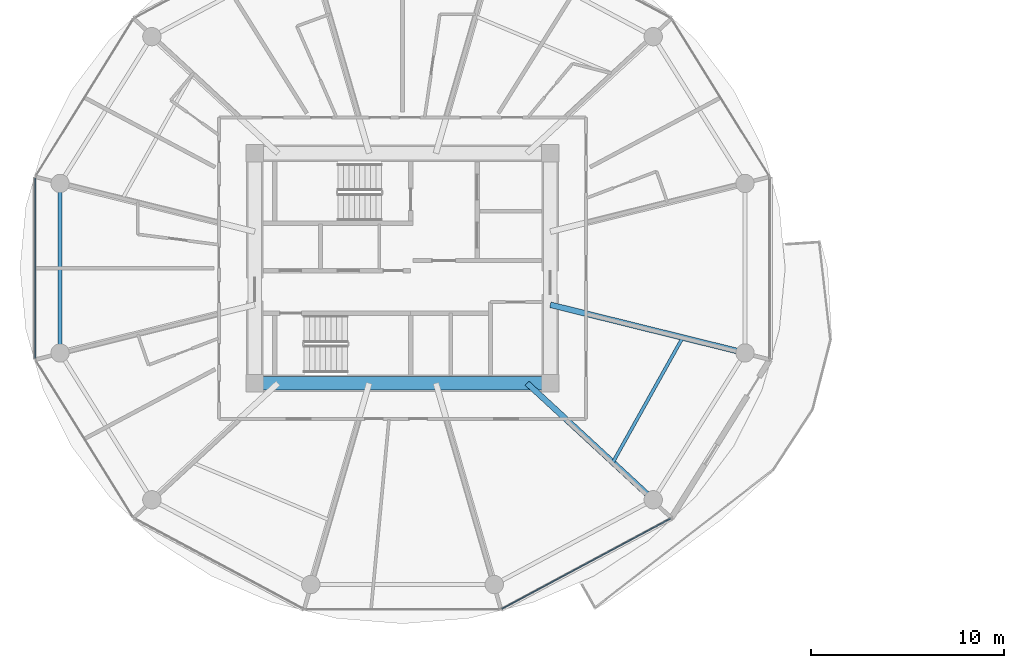
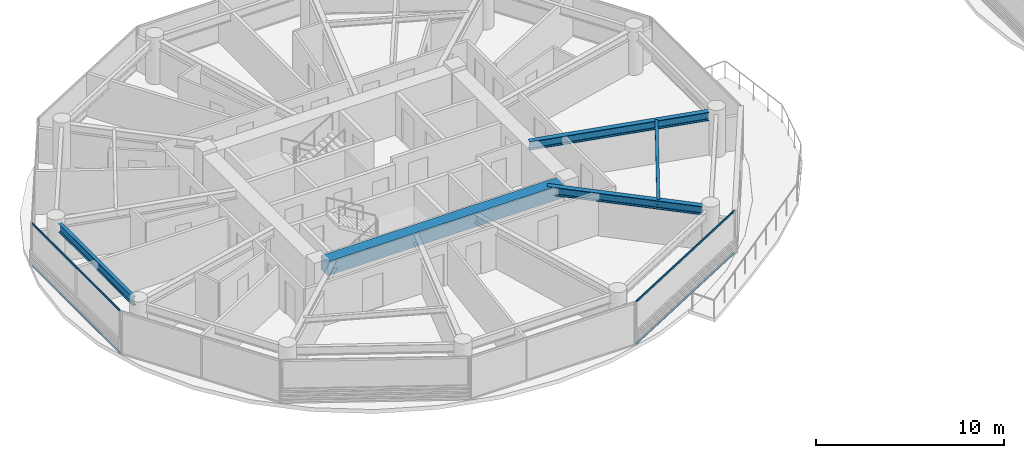
# One storey, part 3 of 26: 5 beams, 4 members, 2 elements without a shape of their own.
"""IFC4 building model written with IfcOpenShell, lengths in metres."""

from ifc_helpers import new_model, si_unit, direction, frame, origin, origin_2d, place, context, subcontext, project, spatial, rectangle, i_section, extrude, source, transform, mapped, material, layer, layer_set, material_profile, profile_set, type_object, type_shapes, element, aggregate, save


model = new_model("IFC4")

# Units and contexts
model_context = context("Model", 3, precision=1e-05, world=origin(), true_north=direction((0.0, 1.0)))
body_context = subcontext(model_context, "Body", "Model", "MODEL_VIEW")
ifc_project = project(units=[si_unit("LENGTHUNIT", "METRE"), si_unit("AREAUNIT", "SQUARE_METRE"), si_unit("VOLUMEUNIT", "CUBIC_METRE"), si_unit("PLANEANGLEUNIT", "RADIAN"), si_unit("MASSUNIT", "GRAM", prefix="KILO")], contexts=[model_context])

# Site, building, storey
site_placement = place(None, origin())
site = spatial("IfcSite", under=ifc_project, at=site_placement, CompositionType="ELEMENT")
building_placement = place(site_placement, origin())
building = spatial("IfcBuilding", under=site, at=building_placement, Name="Norrkilde Senior Care Towers", CompositionType="ELEMENT")
storey_placement = place(building_placement, frame((0.0, 0.0, 64.300048828125)))
storey = spatial("IfcBuildingStorey", under=building, at=storey_placement, Name="L19", CompositionType="ELEMENT", Elevation=64.300048828125)

# Beams
ifc_material_1 = material(Name="Concrete C60/75", Category="concrete")
ifc_material_profile_1 = material_profile(ifc_material_1, rectangle(XDim=0.699951171875, YDim=0.89990234375, at=origin_2d()), Name="RC BM 700x900")
ifc_profile_set_1 = profile_set([ifc_material_profile_1], Name="Concrete C60/75")
beam_type_1 = type_object("IfcBeamType", Name="Core Coupling Girder 700x900", PredefinedType="USERDEFINED", material=ifc_profile_set_1)
shared_shape_1 = source(origin(), body_context, "Body", "SweptSolid", [
    extrude(rectangle(XDim=0.699951171875, YDim=0.89990234375, at=origin_2d()), origin(), (0.0, 0.0, 1.0), 14.43994140625),
])
type_shapes(beam_type_1, [shared_shape_1])
beam_1_placement = place(storey_placement, frame((-35.219970703125, -5.949951171875, 2.33984375), z_axis=(1.0, 0.0, 0.0), x_axis=(0.0, 1.0, 0.0)))
element("IfcBeam", 1, at=beam_1_placement, inside=storey, type_object=beam_type_1, Name="L19 Core W S Coupling Girder", ObjectType="GIRDER", PredefinedType="USERDEFINED", context=body_context, shape_type="MappedRepresentation", body=[
    mapped(shared_shape_1, transform((0.0, 0.0, 0.0), x_axis=(1.0, 0.0, 0.0), y_axis=(0.0, 1.0, 0.0), z_axis=(0.0, 0.0, 1.0), scale=1.0)),
])
ifc_material_2 = material(Name="Steel S355", Category="steel")
ifc_material_profile_2 = material_profile(ifc_material_2, i_section(OverallWidth=0.300048828125, OverallDepth=0.550048828125, WebThickness=0.014892578125, FlangeThickness=0.029052734375, FilletRadius=0.027099609375, at=origin_2d()), Name="HEB 550")
ifc_profile_set_2 = profile_set([ifc_material_profile_2], Name="Steel S355")
beam_type_2 = type_object("IfcBeamType", Name="Radial Floor Beam Z1 HEB550", PredefinedType="BEAM", material=ifc_profile_set_2)
shared_shape_2 = source(origin(), body_context, "Body", "SweptSolid", [
    extrude(i_section(OverallWidth=0.300048828125, OverallDepth=0.550048828125, WebThickness=0.014892578125, FlangeThickness=0.029052734375, FilletRadius=0.027099609375, at=origin_2d()), origin(), (0.0, 0.0, 1.0), 9.94384765625),
])
beam_2_placement = place(storey_placement, frame((-20.35009765625, -1.893310546875, 2.514892578125), z_axis=(0.970707425182, -0.240264634718, 0.0), x_axis=(0.240264634718, 0.970707425182, 0.0)))
element("IfcBeam", 2, at=beam_2_placement, inside=storey, type_object=beam_type_2, Name="L19 Drum W Radial Floor Beam 12", PredefinedType="BEAM", context=body_context, shape_type="MappedRepresentation", body=[
    mapped(shared_shape_2, transform((0.0, 0.0, 0.0), x_axis=(1.0, 0.0, 0.0), y_axis=(0.0, 1.0, 0.0), z_axis=(0.0, 0.0, 1.0), scale=1.0)),
])
shared_shape_3 = source(origin(), body_context, "Body", "SweptSolid", [
    extrude(i_section(OverallWidth=0.300048828125, OverallDepth=0.550048828125, WebThickness=0.014892578125, FlangeThickness=0.029052734375, FilletRadius=0.027099609375, at=origin_2d()), origin(), (0.0, 0.0, 1.0), 8.459716796875),
])
type_shapes(beam_type_2, [shared_shape_2, shared_shape_3])
beam_3_placement = place(storey_placement, frame((-21.55859375, -5.949951171875, 2.514892578125), z_axis=(0.734573269108, -0.678529374686, 0.0), x_axis=(0.678529374686, 0.734573269108, 0.0)))
element("IfcBeam", 3, at=beam_3_placement, inside=storey, type_object=beam_type_2, Name="L19 Drum W Radial Floor Beam 11", PredefinedType="BEAM", context=body_context, shape_type="MappedRepresentation", body=[
    mapped(shared_shape_3, transform((0.0, 0.0, 0.0), x_axis=(1.0, 0.0, 0.0), y_axis=(0.0, 1.0, 0.0), z_axis=(0.0, 0.0, 1.0), scale=1.0)),
])
ifc_material_profile_3 = material_profile(ifc_material_2, i_section(OverallWidth=0.2099609375, OverallDepth=0.550048828125, WebThickness=0.010986328125, FlangeThickness=0.01708984375, FilletRadius=0.02392578125, at=origin_2d()), Name="IPE 550")
ifc_profile_set_3 = profile_set([ifc_material_profile_3], Name="Steel S355")
beam_type_3 = type_object("IfcBeamType", Name="Perimeter Ring Spandrel Z1 IPE550", PredefinedType="SPANDREL", material=ifc_profile_set_3)
shared_shape_4 = source(origin(), body_context, "Body", "SweptSolid", [
    extrude(i_section(OverallWidth=0.2099609375, OverallDepth=0.550048828125, WebThickness=0.010986328125, FlangeThickness=0.01708984375, FilletRadius=0.02392578125, at=origin_2d()), origin(), (0.0, 0.0, 1.0), 7.90380859375),
])
type_shapes(beam_type_3, [shared_shape_4])
beam_4_placement = place(storey_placement, frame((-45.724853515625, 3.951904296875, 2.514892578125), z_axis=(0.0, -1.0, 0.0), x_axis=(1.0, 0.0, 0.0)))
element("IfcBeam", 4, at=beam_4_placement, inside=storey, type_object=beam_type_3, Name="L19 Drum W Perimeter Spandrel 06", PredefinedType="SPANDREL", context=body_context, shape_type="MappedRepresentation", body=[
    mapped(shared_shape_4, transform((0.0, 0.0, 0.0), x_axis=(1.0, 0.0, 0.0), y_axis=(0.0, 1.0, 0.0), z_axis=(0.0, 0.0, 1.0), scale=1.0)),
])
ifc_material_profile_4 = material_profile(ifc_material_2, i_section(OverallWidth=0.169921875, OverallDepth=0.360107421875, WebThickness=0.008056640625, FlangeThickness=0.0126953125, FilletRadius=0.01806640625, at=origin_2d()), Name="IPE 360")
ifc_profile_set_4 = profile_set([ifc_material_profile_4], Name="Steel S355")
beam_type_4 = type_object("IfcBeamType", Name="Secondary Floor Joist IPE360", PredefinedType="JOIST", material=ifc_profile_set_4)
shared_shape_5 = source(origin(), body_context, "Body", "SweptSolid", [
    extrude(i_section(OverallWidth=0.169921875, OverallDepth=0.360107421875, WebThickness=0.008056640625, FlangeThickness=0.0126953125, FilletRadius=0.01806640625, at=origin_2d()), origin(), (0.0, 0.0, 1.0), 7.40771484375),
])
type_shapes(beam_type_4, [shared_shape_5])
beam_5_placement = place(storey_placement, frame((-17.115478515625, -10.05419921875, 2.60986328125), z_axis=(0.488167754092, 0.872749817453, 0.0), x_axis=(-0.872749817453, 0.488167754092, 0.0)))
element("IfcBeam", 5, at=beam_5_placement, inside=storey, type_object=beam_type_4, Name="L19 Drum W Secondary Floor Joist 4", PredefinedType="JOIST", context=body_context, shape_type="MappedRepresentation", body=[
    mapped(shared_shape_5, transform((0.0, 0.0, 0.0), x_axis=(1.0, 0.0, 0.0), y_axis=(0.0, 1.0, 0.0), z_axis=(0.0, 0.0, 1.0), scale=1.0)),
])

# Curtain wall, members
ifc_material_3 = material(Name="Triple Low-E Insulated Glazing", Category="glass")
ifc_layer = layer(ifc_material_3, 0.199951171875)
ifc_layer_set = layer_set([ifc_layer], Name="Triple Low-E Insulated Glazing")
curtain_wall_type = type_object("IfcCurtainWallType", Name="CW2 Zone 1 Memory Care Curtain Wall", PredefinedType="NOTDEFINED", material=ifc_layer_set)
curtain_wall_1_placement = place(storey_placement, origin())
curtain_wall_1 = element("IfcCurtainWall", 6, at=curtain_wall_1_placement, inside=storey, type_object=curtain_wall_type, Name="L19 Drum W Curtain Wall 09", PredefinedType="NOTDEFINED")
ifc_material_4 = material(Name="Anodised Aluminium", Category="aluminium")
ifc_material_profile_5 = material_profile(ifc_material_4, rectangle(XDim=0.06005859375, YDim=0.1201171875, at=origin_2d()), Name="ALU TRAN 60x120")
ifc_profile_set_5 = profile_set([ifc_material_profile_5], Name="Anodised Aluminium")
member_type = type_object("IfcMemberType", Name="Curtain Wall Transom Typical 60x120", PredefinedType="USERDEFINED", material=ifc_profile_set_5)
shared_shape_6 = source(origin(), body_context, "Body", "SweptSolid", [
    extrude(rectangle(XDim=0.06005859375, YDim=0.1201171875, at=origin_2d()), origin(), (0.0, 0.0, 1.0), 9.880859375),
])
member_1_placement = place(storey_placement, frame((-14.141357421875, -12.95654296875, 0.030029296875), z_axis=(-0.881267204043, -0.47261836092, 0.0), x_axis=(0.47261836092, -0.881267204043, 0.0)))
member_1 = element("IfcMember", 7, at=member_1_placement, type_object=member_type, Name="CW-2 transom 1.1", ObjectType="TRANSOM", PredefinedType="USERDEFINED", context=body_context, shape_type="MappedRepresentation", body=[
    mapped(shared_shape_6, transform((0.0, 0.0, 0.0), x_axis=(1.0, 0.0, 0.0), y_axis=(0.0, 1.0, 0.0), z_axis=(0.0, 0.0, 1.0), scale=1.0)),
])
member_2_placement = place(storey_placement, frame((-14.141357421875, -12.95654296875, 2.760009765625), z_axis=(-0.881267204043, -0.47261836092, 0.0), x_axis=(0.47261836092, -0.881267204043, 0.0)))
member_2 = element("IfcMember", 8, at=member_2_placement, type_object=member_type, Name="CW-2 transom 1.2", ObjectType="TRANSOM", PredefinedType="USERDEFINED", context=body_context, shape_type="MappedRepresentation", body=[
    mapped(shared_shape_6, transform((0.0, 0.0, 0.0), x_axis=(1.0, 0.0, 0.0), y_axis=(0.0, 1.0, 0.0), z_axis=(0.0, 0.0, 1.0), scale=1.0)),
])
aggregate(curtain_wall_1, [member_1, member_2])

curtain_wall_2_placement = place(storey_placement, origin())
curtain_wall_2 = element("IfcCurtainWall", 9, at=curtain_wall_2_placement, inside=storey, type_object=curtain_wall_type, Name="L19 Drum W Curtain Wall 05", PredefinedType="NOTDEFINED")
shared_shape_7 = source(origin(), body_context, "Body", "SweptSolid", [
    extrude(rectangle(XDim=0.06005859375, YDim=0.1201171875, at=origin_2d()), origin(), (0.0, 0.0, 1.0), 9.33251953125),
])
type_shapes(member_type, [shared_shape_6, shared_shape_7])
member_3_placement = place(storey_placement, frame((-47.009521484375, -4.666259765625, 0.030029296875), z_axis=(0.0, 1.0, 0.0), x_axis=(-1.0, 0.0, 0.0)))
member_3 = element("IfcMember", 10, at=member_3_placement, type_object=member_type, Name="CW-2 transom 1.1", ObjectType="TRANSOM", PredefinedType="USERDEFINED", context=body_context, shape_type="MappedRepresentation", body=[
    mapped(shared_shape_7, transform((0.0, 0.0, 0.0), x_axis=(1.0, 0.0, 0.0), y_axis=(0.0, 1.0, 0.0), z_axis=(0.0, 0.0, 1.0), scale=1.0)),
])
member_4_placement = place(storey_placement, frame((-47.009521484375, -4.666259765625, 2.760009765625), z_axis=(0.0, 1.0, 0.0), x_axis=(-1.0, 0.0, 0.0)))
member_4 = element("IfcMember", 11, at=member_4_placement, type_object=member_type, Name="CW-2 transom 1.2", ObjectType="TRANSOM", PredefinedType="USERDEFINED", context=body_context, shape_type="MappedRepresentation", body=[
    mapped(shared_shape_7, transform((0.0, 0.0, 0.0), x_axis=(1.0, 0.0, 0.0), y_axis=(0.0, 1.0, 0.0), z_axis=(0.0, 0.0, 1.0), scale=1.0)),
])
aggregate(curtain_wall_2, [member_3, member_4])

save(model, "model.ifc")
